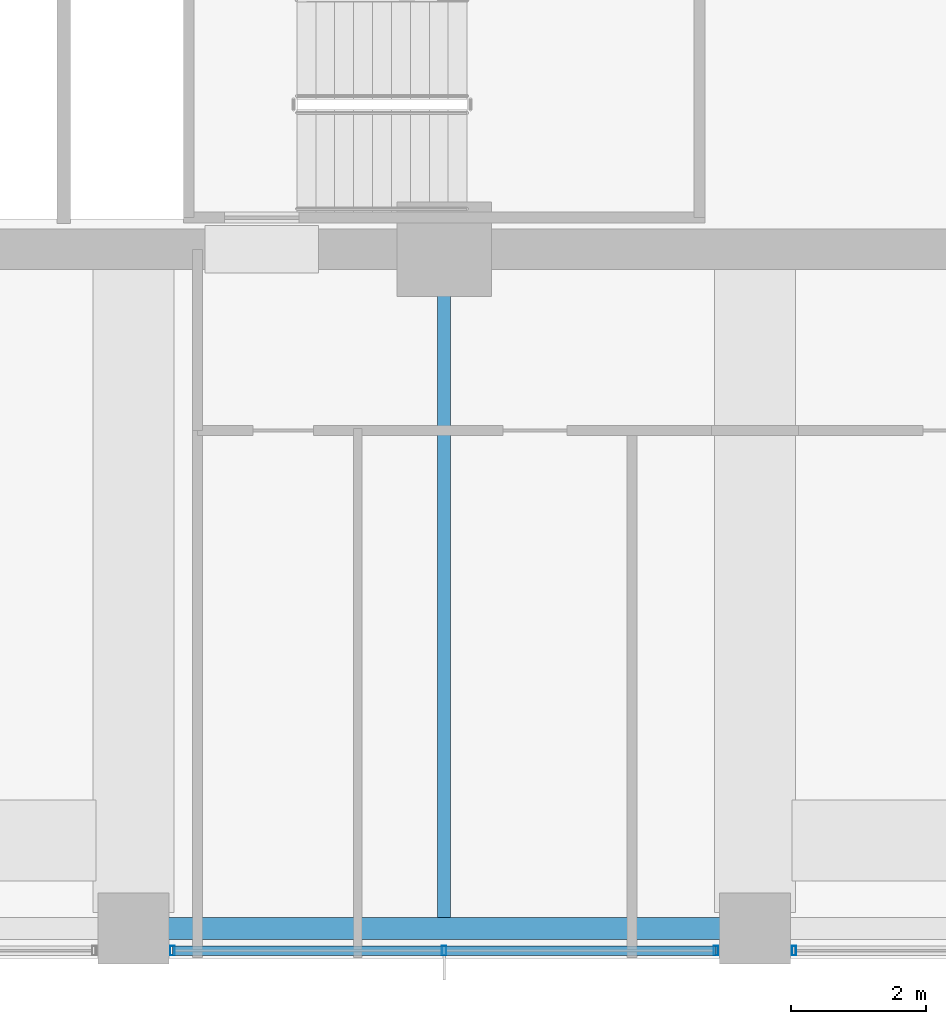
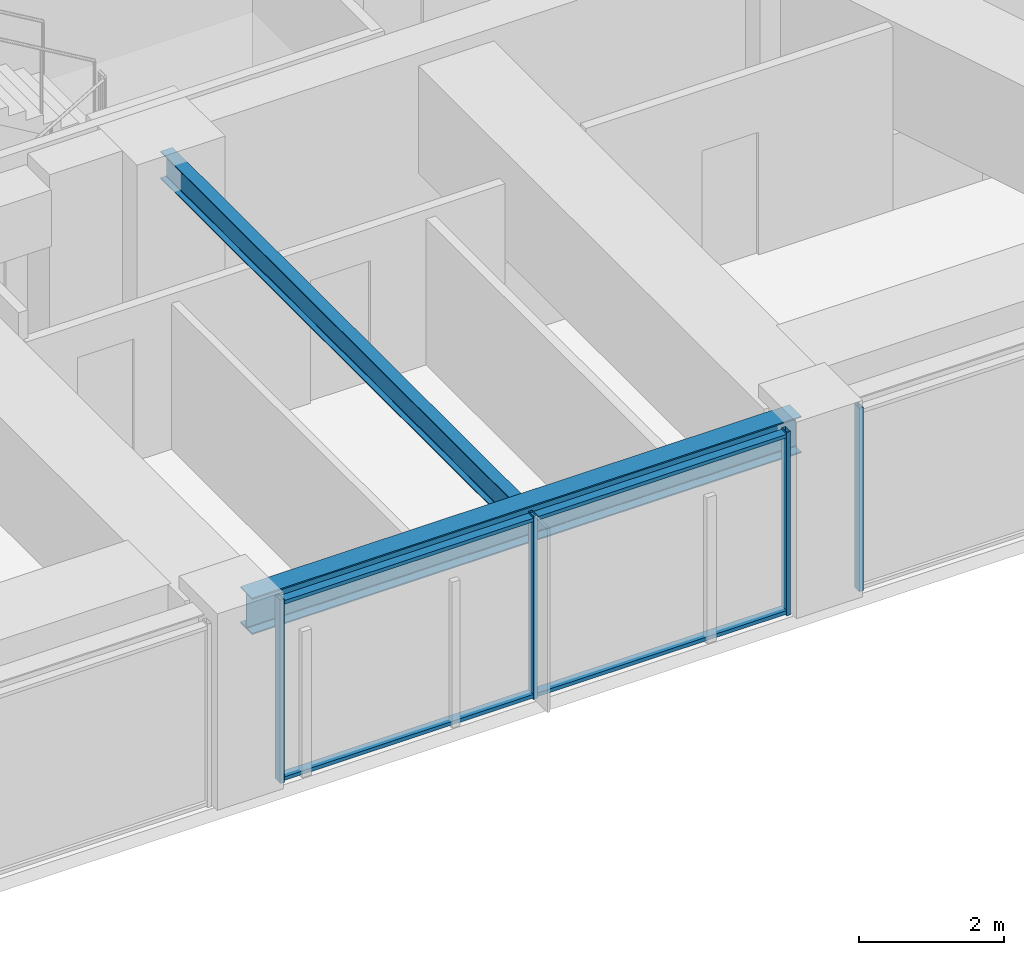
# One storey, part 6 of 34: 6 members, 2 beams, 2 elements without a shape of their own.
"""IFC4 building model written with IfcOpenShell, lengths in metres."""

from ifc_helpers import new_model, si_unit, direction, frame, origin, origin_2d, place, context, subcontext, project, spatial, hollow_rectangle, i_section, extrude, material, material_profile, profile_set, type_object, element, aggregate, save


model = new_model("IFC4")

# Units and contexts
model_context = context("Model", 3, precision=1e-05, world=origin(), true_north=direction((0.0, 1.0)))
body_context = subcontext(model_context, "Body", "Model", "MODEL_VIEW")
ifc_project = project(units=[si_unit("LENGTHUNIT", "METRE"), si_unit("AREAUNIT", "SQUARE_METRE"), si_unit("VOLUMEUNIT", "CUBIC_METRE"), si_unit("PLANEANGLEUNIT", "RADIAN"), si_unit("MASSUNIT", "GRAM", prefix="KILO")], contexts=[model_context])

# Site, building, storey
site_placement = place(None, origin())
site = spatial("IfcSite", under=ifc_project, at=site_placement, CompositionType="ELEMENT")
building_placement = place(site_placement, origin())
building = spatial("IfcBuilding", under=site, at=building_placement, Name="Kolvaren Belvedere", CompositionType="ELEMENT")
storey_placement = place(building_placement, frame((0.0, 0.0, 105.199951171875)))
storey = spatial("IfcBuildingStorey", under=building, at=storey_placement, Name="L30", CompositionType="ELEMENT", Elevation=105.199951171875)

# Beams
ifc_material_1 = material(Name="Structural steel ASTM A992 Grade 50", Category="steel")
ifc_material_profile_1 = material_profile(ifc_material_1, i_section(OverallWidth=0.19091796875, OverallDepth=0.4599609375, WebThickness=0.010009765625, FlangeThickness=0.01611328125, FilletRadius=0.014892578125, at=origin_2d()), Name="W18X55")
ifc_profile_set_1 = profile_set([ifc_material_profile_1], Name="Structural steel ASTM A992 Grade 50")
beam_type_1 = type_object("IfcBeamType", Name="BM-JOIST-W18X55", PredefinedType="BEAM", material=ifc_profile_set_1)
beam_1_placement = place(storey_placement, frame((0.0, -10.199951171875, 2.85009765625), z_axis=(0.0, -1.0, 0.0), x_axis=(1.0, 0.0, 0.0)))
element("IfcBeam", 1, at=beam_1_placement, inside=storey, type_object=beam_type_1, Name="L30 South Centre Floor Beam", PredefinedType="BEAM", context=body_context, shape_type="SweptSolid", body=[
    extrude(i_section(OverallWidth=0.19091796875, OverallDepth=0.4599609375, WebThickness=0.010009765625, FlangeThickness=0.01611328125, FilletRadius=0.014892578125, at=origin_2d()), origin(), (0.0, 0.0, 1.0), 9.587646484375),
])
ifc_material_2 = material(Name="Structural steel ASTM A992 Grade 50", Category="steel")
ifc_material_profile_2 = material_profile(ifc_material_2, i_section(OverallWidth=0.324951171875, OverallDepth=0.615966796875, WebThickness=0.013916015625, FlangeThickness=0.021484375, FilletRadius=0.02001953125, at=origin_2d()), Name="W24X117")
ifc_profile_set_2 = profile_set([ifc_material_profile_2], Name="Structural steel ASTM A992 Grade 50")
beam_type_2 = type_object("IfcBeamType", Name="BM-SPAN-W24X117", PredefinedType="SPANDREL", material=ifc_profile_set_2)
beam_2_placement = place(storey_placement, frame((-4.36376953125, -19.949951171875, 2.77197265625), z_axis=(1.0, 0.0, 0.0), x_axis=(0.0, 1.0, 0.0)))
element("IfcBeam", 2, at=beam_2_placement, inside=storey, type_object=beam_type_2, Name="L30 Perimeter Spandrel S2-S3", PredefinedType="SPANDREL", context=body_context, shape_type="SweptSolid", body=[
    extrude(i_section(OverallWidth=0.324951171875, OverallDepth=0.615966796875, WebThickness=0.013916015625, FlangeThickness=0.021484375, FilletRadius=0.02001953125, at=origin_2d()), origin(), (0.0, 0.0, 1.0), 8.7275390625),
])

# Curtain wall, member
ifc_material_3 = material(Name="Anodised pale-metal aluminium AA 6063-T6", Category="aluminium")
curtain_wall_type = type_object("IfcCurtainWallType", Name="CW-Z2-MID", PredefinedType="NOTDEFINED", material=ifc_material_3)
curtain_wall_1_placement = place(storey_placement, origin())
curtain_wall_1 = element("IfcCurtainWall", 3, at=curtain_wall_1_placement, inside=storey, type_object=curtain_wall_type, Name="L30 Unitised Curtain Wall FCW-L30-S-B1", PredefinedType="NOTDEFINED")
ifc_material_4 = material(Name="Anodised pale-metal aluminium AA 6063-T6", Category="aluminium")
ifc_material_profile_3 = material_profile(ifc_material_4, hollow_rectangle(XDim=0.06494140625, YDim=0.139892578125, WallThickness=0.00390625, at=origin_2d()), Name="ALU-MUL-140X65")
ifc_profile_set_3 = profile_set([ifc_material_profile_3], Name="Anodised pale-metal aluminium AA 6063-T6")
member_type_1 = type_object("IfcMemberType", Name="CW-MUL-140", PredefinedType="MULLION", material=ifc_profile_set_3)
member_1_placement = place(storey_placement, frame((5.177490234375, -20.280029296875, 0.0), z_axis=(0.0, 0.0, 1.0), x_axis=(1.0, 0.0, 0.0)))
member_1 = element("IfcMember", 4, at=member_1_placement, type_object=member_type_1, Name="FCW-L30-S-B1 Unitised Mullion 3", PredefinedType="MULLION", context=body_context, shape_type="SweptSolid", body=[
    extrude(hollow_rectangle(XDim=0.06494140625, YDim=0.139892578125, WallThickness=0.00390625, at=origin_2d()), origin(), (0.0, 0.0, 1.0), 3.080078125),
])
aggregate(curtain_wall_1, [member_1])

# Curtain wall, members
curtain_wall_2_placement = place(storey_placement, origin())
curtain_wall_2 = element("IfcCurtainWall", 5, at=curtain_wall_2_placement, inside=storey, type_object=curtain_wall_type, Name="L30 Unitised Curtain Wall FCW-L30-S-B2", PredefinedType="NOTDEFINED")
member_2_placement = place(storey_placement, frame((4.0224609375, -20.280029296875, 0.0), z_axis=(0.0, 0.0, 1.0), x_axis=(1.0, 0.0, 0.0)))
member_2 = element("IfcMember", 6, at=member_2_placement, type_object=member_type_1, Name="FCW-L30-S-B2 Unitised Mullion 1", PredefinedType="MULLION", context=body_context, shape_type="SweptSolid", body=[
    extrude(hollow_rectangle(XDim=0.06494140625, YDim=0.139892578125, WallThickness=0.00390625, at=origin_2d()), origin(), (0.0, 0.0, 1.0), 3.080078125),
])
member_3_placement = place(storey_placement, frame((0.0, -20.280029296875, 0.0), z_axis=(0.0, 0.0, 1.0), x_axis=(1.0, 0.0, 0.0)))
member_3 = element("IfcMember", 7, at=member_3_placement, type_object=member_type_1, Name="FCW-L30-S-B2 Unitised Mullion 2", PredefinedType="MULLION", context=body_context, shape_type="SweptSolid", body=[
    extrude(hollow_rectangle(XDim=0.06494140625, YDim=0.139892578125, WallThickness=0.00390625, at=origin_2d()), origin(), (0.0, 0.0, 1.0), 3.080078125),
])
member_4_placement = place(storey_placement, frame((-4.0224609375, -20.280029296875, 0.0), z_axis=(0.0, 0.0, 1.0), x_axis=(1.0, 0.0, 0.0)))
member_4 = element("IfcMember", 8, at=member_4_placement, type_object=member_type_1, Name="FCW-L30-S-B2 Unitised Mullion 3", PredefinedType="MULLION", context=body_context, shape_type="SweptSolid", body=[
    extrude(hollow_rectangle(XDim=0.06494140625, YDim=0.139892578125, WallThickness=0.00390625, at=origin_2d()), origin(), (0.0, 0.0, 1.0), 3.080078125),
])
ifc_material_5 = material(Name="Anodised pale-metal aluminium AA 6063-T6", Category="aluminium")
ifc_material_profile_4 = material_profile(ifc_material_5, hollow_rectangle(XDim=0.06005859375, YDim=0.139892578125, WallThickness=0.00390625, at=origin_2d()), Name="ALU-TRN-140X60")
ifc_profile_set_4 = profile_set([ifc_material_profile_4], Name="Anodised pale-metal aluminium AA 6063-T6")
member_type_2 = type_object("IfcMemberType", Name="CW-TRN-140", PredefinedType="USERDEFINED", material=ifc_profile_set_4)
member_5_placement = place(storey_placement, frame((4.0224609375, -20.280029296875, 0.06005859375), z_axis=(-1.0, 0.0, 0.0), x_axis=(0.0, 0.0, 1.0)))
member_5 = element("IfcMember", 9, at=member_5_placement, type_object=member_type_2, Name="FCW-L30-S-B2 Sill Transom", ObjectType="TRANSOM", PredefinedType="USERDEFINED", context=body_context, shape_type="SweptSolid", body=[
    extrude(hollow_rectangle(XDim=0.06005859375, YDim=0.139892578125, WallThickness=0.00390625, at=origin_2d()), origin(), (0.0, 0.0, 1.0), 8.044921875),
])
member_6_placement = place(storey_placement, frame((4.0224609375, -20.280029296875, 3.02001953125), z_axis=(-1.0, 0.0, 0.0), x_axis=(0.0, 0.0, 1.0)))
member_6 = element("IfcMember", 10, at=member_6_placement, type_object=member_type_2, Name="FCW-L30-S-B2 Head Transom", ObjectType="TRANSOM", PredefinedType="USERDEFINED", context=body_context, shape_type="SweptSolid", body=[
    extrude(hollow_rectangle(XDim=0.06005859375, YDim=0.139892578125, WallThickness=0.00390625, at=origin_2d()), origin(), (0.0, 0.0, 1.0), 8.044921875),
])
aggregate(curtain_wall_2, [member_2, member_3, member_4, member_5, member_6])

save(model, "model.ifc")
